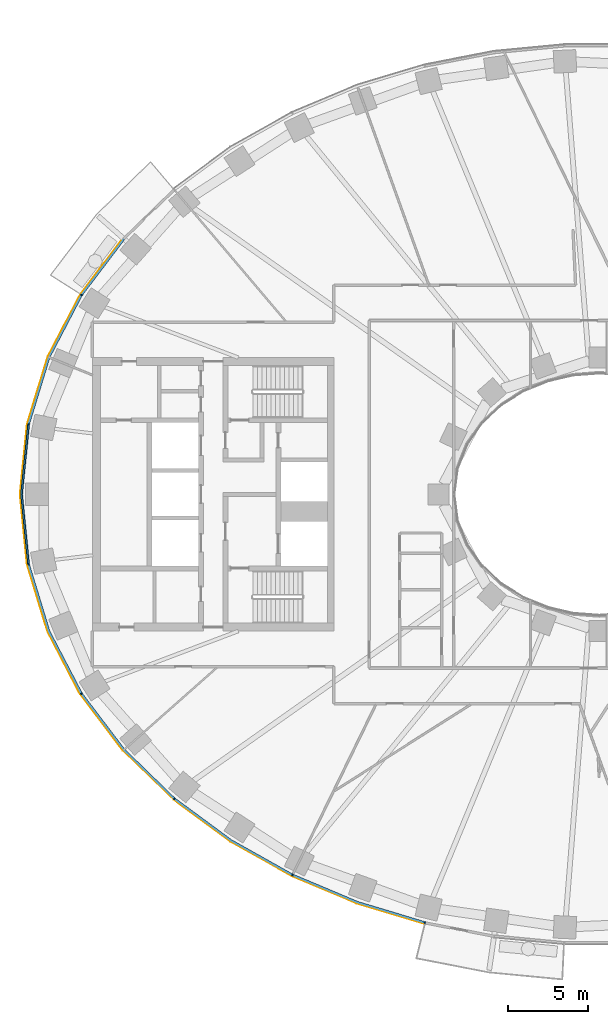
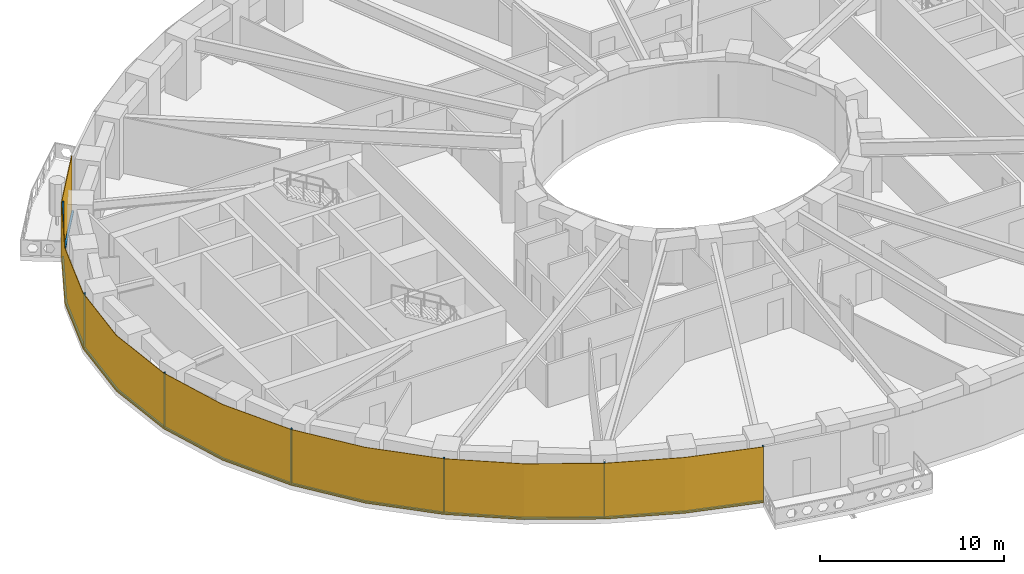
# One storey, part 8 of 16: 14 members, 1 curtain wall.
"""IFC4 building model written with IfcOpenShell, lengths in metres."""

from ifc_helpers import new_model, si_unit, direction, frame, origin, origin_2d, place, context, subcontext, project, spatial, polyline, rectangle, outline, extrude, material, layer, layer_set, material_profile, profile_set, type_object, element, aggregate, save


model = new_model("IFC4")

# Units and contexts
model_context = context("Model", 3, precision=1e-05, world=origin(), true_north=direction((0.0, 1.0)))
body_context = subcontext(model_context, "Body", "Model", "MODEL_VIEW")
ifc_project = project(units=[si_unit("LENGTHUNIT", "METRE"), si_unit("AREAUNIT", "SQUARE_METRE"), si_unit("VOLUMEUNIT", "CUBIC_METRE"), si_unit("PLANEANGLEUNIT", "RADIAN"), si_unit("MASSUNIT", "GRAM", prefix="KILO")], contexts=[model_context])

# Member
ifc_material_1 = material(Name="Aluminium 6063-T6 black anodised", Category="aluminium")
ifc_material_profile = material_profile(ifc_material_1, rectangle(XDim=0.1201171875, YDim=0.06005859375, at=origin_2d()), Name="120x60")
ifc_profile_set = profile_set([ifc_material_profile], Name="Aluminium 6063-T6 black anodised")
member_type_1 = type_object("IfcMemberType", Name="ENV-MULLION-A-120", PredefinedType="MULLION", material=ifc_profile_set)
site_placement = place(None, origin())
building_placement = place(site_placement, origin())
storey_placement = place(building_placement, frame((0.0, 0.0, 58.5)))
member_1_placement = place(storey_placement, frame((-32.177490234375, 12.385498046875, 0.0), z_axis=(0.0, 0.0, 1.0), x_axis=(0.844829880882, -0.53503501976, 0.0)))
member_1 = element("IfcMember", 1, at=member_1_placement, type_object=member_type_1, Name="Mullion A radial 21", PredefinedType="MULLION", context=body_context, shape_type="SweptSolid", body=[
    extrude(rectangle(XDim=0.1201171875, YDim=0.06005859375, at=origin_2d()), origin(), (0.0, 0.0, 1.0), 3.699951171875),
])

member_2_placement = place(storey_placement, frame((-35.470947265625, 4.340576171875, 0.0), z_axis=(0.0, 0.0, 1.0), x_axis=(0.980379083141, -0.19712141776, 0.0)))
member_2 = element("IfcMember", 2, at=member_2_placement, type_object=member_type_1, Name="Mullion A radial 23", PredefinedType="MULLION", context=body_context, shape_type="SweptSolid", body=[
    extrude(rectangle(XDim=0.1201171875, YDim=0.06005859375, at=origin_2d()), origin(), (0.0, 0.0, 1.0), 3.699951171875),
])

member_3_placement = place(storey_placement, frame((-35.470947265625, -4.340576171875, 0.0), z_axis=(0.0, 0.0, 1.0), x_axis=(0.980379083141, 0.19712141776, 0.0)))
member_3 = element("IfcMember", 3, at=member_3_placement, type_object=member_type_1, Name="Mullion A radial 25", PredefinedType="MULLION", context=body_context, shape_type="SweptSolid", body=[
    extrude(rectangle(XDim=0.1201171875, YDim=0.06005859375, at=origin_2d()), origin(), (0.0, 0.0, 1.0), 3.699951171875),
])

member_4_placement = place(storey_placement, frame((-32.177490234375, -12.385498046875, 0.0), z_axis=(0.0, 0.0, 1.0), x_axis=(0.844829880882, 0.53503501976, 0.0)))
member_4 = element("IfcMember", 4, at=member_4_placement, type_object=member_type_1, Name="Mullion A radial 27", PredefinedType="MULLION", context=body_context, shape_type="SweptSolid", body=[
    extrude(rectangle(XDim=0.1201171875, YDim=0.06005859375, at=origin_2d()), origin(), (0.0, 0.0, 1.0), 3.699951171875),
])

member_5_placement = place(storey_placement, frame((-26.403564453125, -18.9130859375, 0.0), z_axis=(0.0, 0.0, 1.0), x_axis=(0.646451313783, 0.762955240435, 0.0)))
member_5 = element("IfcMember", 5, at=member_5_placement, type_object=member_type_1, Name="Mullion A radial 29", PredefinedType="MULLION", context=body_context, shape_type="SweptSolid", body=[
    extrude(rectangle(XDim=0.1201171875, YDim=0.06005859375, at=origin_2d()), origin(), (0.0, 0.0, 1.0), 3.699951171875),
])

member_6_placement = place(storey_placement, frame((-19.06787109375, -23.6474609375, 0.0), z_axis=(0.0, 0.0, 1.0), x_axis=(0.439237769837, 0.898370848563, 0.0)))
member_6 = element("IfcMember", 6, at=member_6_placement, type_object=member_type_1, Name="Mullion A radial 31", PredefinedType="MULLION", context=body_context, shape_type="SweptSolid", body=[
    extrude(rectangle(XDim=0.1201171875, YDim=0.06005859375, at=origin_2d()), origin(), (0.0, 0.0, 1.0), 3.699951171875),
])

member_7_placement = place(storey_placement, frame((-10.84326171875, -26.60498046875, 0.0), z_axis=(0.0, 0.0, 1.0), x_axis=(0.239799081534, 0.970822538106, 0.0)))
member_7 = element("IfcMember", 7, at=member_7_placement, type_object=member_type_1, Name="Mullion A radial 33", PredefinedType="MULLION", context=body_context, shape_type="SweptSolid", body=[
    extrude(rectangle(XDim=0.1201171875, YDim=0.06005859375, at=origin_2d()), origin(), (0.0, 0.0, 1.0), 3.699951171875),
])

ifc_material_2 = material(Name="Aluminium 6063-T6 black anodised", Category="aluminium")
member_type_2 = type_object("IfcMemberType", Name="ENV-TRANSOM-A", PredefinedType="USERDEFINED", material=ifc_material_2)
member_8_placement = place(storey_placement, origin())
member_8 = element("IfcMember", 8, at=member_8_placement, type_object=member_type_2, Name="Transom A radial 20-21", ObjectType="TRANSOM", PredefinedType="USERDEFINED", context=body_context, shape_type="SweptSolid", body=[
    extrude(outline(polyline([(-29.595703125, 15.890869140625), (-32.211181640625, 12.43994140625), (-32.109375, 12.37548828125), (-29.505615234375, 15.811279296875), (-29.595703125, 15.890869140625)])), origin(), (0.0, 0.0, 1.0), 0.10009765625),
])

member_9_placement = place(storey_placement, origin())
member_9 = element("IfcMember", 9, at=member_9_placement, type_object=member_type_2, Name="Transom A radial 21-23", ObjectType="TRANSOM", PredefinedType="USERDEFINED", context=body_context, shape_type="SweptSolid", body=[
    extrude(outline(polyline([(-32.240966796875, 12.392578125), (-34.251220703125, 8.53662109375), (-35.521484375, 4.379150390625), (-35.4033203125, 4.355224609375), (-34.139892578125, 8.490966796875), (-32.139404296875, 12.328369140625), (-32.240966796875, 12.392578125)])), origin(), (0.0, 0.0, 1.0), 0.10009765625),
])

member_10_placement = place(storey_placement, origin())
member_10 = element("IfcMember", 10, at=member_10_placement, type_object=member_type_2, Name="Transom A radial 23-25", ObjectType="TRANSOM", PredefinedType="USERDEFINED", context=body_context, shape_type="SweptSolid", body=[
    extrude(outline(polyline([(-35.532470703125, 4.324462890625), (-35.9677734375, 0.0), (-35.532470703125, -4.324462890625), (-35.414306640625, -4.30078125), (-35.84716796875, 0.0), (-35.414306640625, 4.30078125), (-35.532470703125, 4.324462890625)])), origin(), (0.0, 0.0, 1.0), 0.10009765625),
])

member_11_placement = place(storey_placement, origin())
member_11 = element("IfcMember", 11, at=member_11_placement, type_object=member_type_2, Name="Transom A radial 25-27", ObjectType="TRANSOM", PredefinedType="USERDEFINED", context=body_context, shape_type="SweptSolid", body=[
    extrude(outline(polyline([(-35.521484375, -4.379150390625), (-34.251220703125, -8.53662109375), (-32.240966796875, -12.392578125), (-32.139404296875, -12.328369140625), (-34.139892578125, -8.490966796875), (-35.4033203125, -4.355224609375), (-35.521484375, -4.379150390625)])), origin(), (0.0, 0.0, 1.0), 0.10009765625),
])

member_12_placement = place(storey_placement, origin())
member_12 = element("IfcMember", 12, at=member_12_placement, type_object=member_type_2, Name="Transom A radial 27-29", ObjectType="TRANSOM", PredefinedType="USERDEFINED", context=body_context, shape_type="SweptSolid", body=[
    extrude(outline(polyline([(-32.211181640625, -12.43994140625), (-29.58349609375, -15.906982421875), (-26.46240234375, -18.939208984375), (-26.384765625, -18.847412109375), (-29.493408203125, -15.8271484375), (-32.109375, -12.37548828125), (-32.211181640625, -12.43994140625)])), origin(), (0.0, 0.0, 1.0), 0.10009765625),
])

member_13_placement = place(storey_placement, origin())
member_13 = element("IfcMember", 13, at=member_13_placement, type_object=member_type_2, Name="Transom A radial 29-31", ObjectType="TRANSOM", PredefinedType="USERDEFINED", context=body_context, shape_type="SweptSolid", body=[
    extrude(outline(polyline([(-26.419921875, -18.975341796875), (-22.9150390625, -21.556884765625), (-19.11865234375, -23.687744140625), (-19.06591796875, -23.57958984375), (-22.85009765625, -21.455810546875), (-26.342041015625, -18.883544921875), (-26.419921875, -18.975341796875)])), origin(), (0.0, 0.0, 1.0), 0.10009765625),
])

member_14_placement = place(storey_placement, origin())
member_14 = element("IfcMember", 14, at=member_14_placement, type_object=member_type_2, Name="Transom A radial 31-33", ObjectType="TRANSOM", PredefinedType="USERDEFINED", context=body_context, shape_type="SweptSolid", body=[
    extrude(outline(polyline([(-19.068359375, -23.71240234375), (-15.054443359375, -25.400146484375), (-10.884521484375, -26.655029296875), (-10.855712890625, -26.53857421875), (-15.013916015625, -25.287109375), (-19.015380859375, -23.604248046875), (-19.068359375, -23.71240234375)])), origin(), (0.0, 0.0, 1.0), 0.10009765625),
])

# Site, building, storey
site = spatial("IfcSite", under=ifc_project, at=site_placement, CompositionType="ELEMENT")
building = spatial("IfcBuilding", under=site, at=building_placement, Name="Noorbagh Ring Tower", CompositionType="ELEMENT")
storey = spatial("IfcBuildingStorey", under=building, at=storey_placement, Name="L12", CompositionType="ELEMENT", Elevation=58.5)

# Curtain wall
ifc_material_3 = material(Name="Glass dark tinted laminated", Category="glass")
ifc_layer = layer(ifc_material_3, 0.031982421875)
ifc_layer_set = layer_set([ifc_layer], Name="Glass dark tinted laminated")
curtain_wall_type = type_object("IfcCurtainWallType", Name="ENV-CW-A", PredefinedType="NOTDEFINED", material=ifc_layer_set)
curtain_wall_placement = place(storey_placement, origin())
curtain_wall = element("IfcCurtainWall", 15, at=curtain_wall_placement, inside=storey, type_object=curtain_wall_type, Name="Curtain wall A R20", PredefinedType="NOTDEFINED", context=body_context, shape_type="SweptSolid", body=[
    extrude(outline(polyline([(-29.61962890625, 15.912109375), (-32.255126953125, 12.434814453125), (-34.281005859375, 8.548828125), (-35.561279296875, 4.358642578125), (-36.0, 0.0), (-35.561279296875, -4.358642578125), (-34.281005859375, -8.548828125), (-32.255126953125, -12.434814453125), (-29.607666015625, -15.927978515625), (-26.463134765625, -18.9833984375), (-22.9326171875, -21.583740234375), (-19.108154296875, -23.730224609375), (-15.065185546875, -25.430419921875), (-10.884521484375, -26.6884765625), (-10.876708984375, -26.657470703125), (-15.054443359375, -25.400146484375), (-19.093994140625, -23.701416015625), (-22.9150390625, -21.556884765625), (-26.4423828125, -18.958740234375), (-29.58349609375, -15.906982421875), (-32.22802734375, -12.41748046875), (-34.251220703125, -8.53662109375), (-35.529541015625, -4.352294921875), (-35.9677734375, 0.0), (-35.529541015625, 4.352294921875), (-34.251220703125, 8.53662109375), (-32.22802734375, 12.41748046875), (-29.595703125, 15.890869140625), (-29.61962890625, 15.912109375)])), origin(), (0.0, 0.0, 1.0), 3.699951171875),
])

aggregate(curtain_wall, [member_1, member_2, member_3, member_4, member_5, member_6, member_7, member_8, member_9, member_10, member_11, member_12, member_13, member_14])

save(model, "model.ifc")
